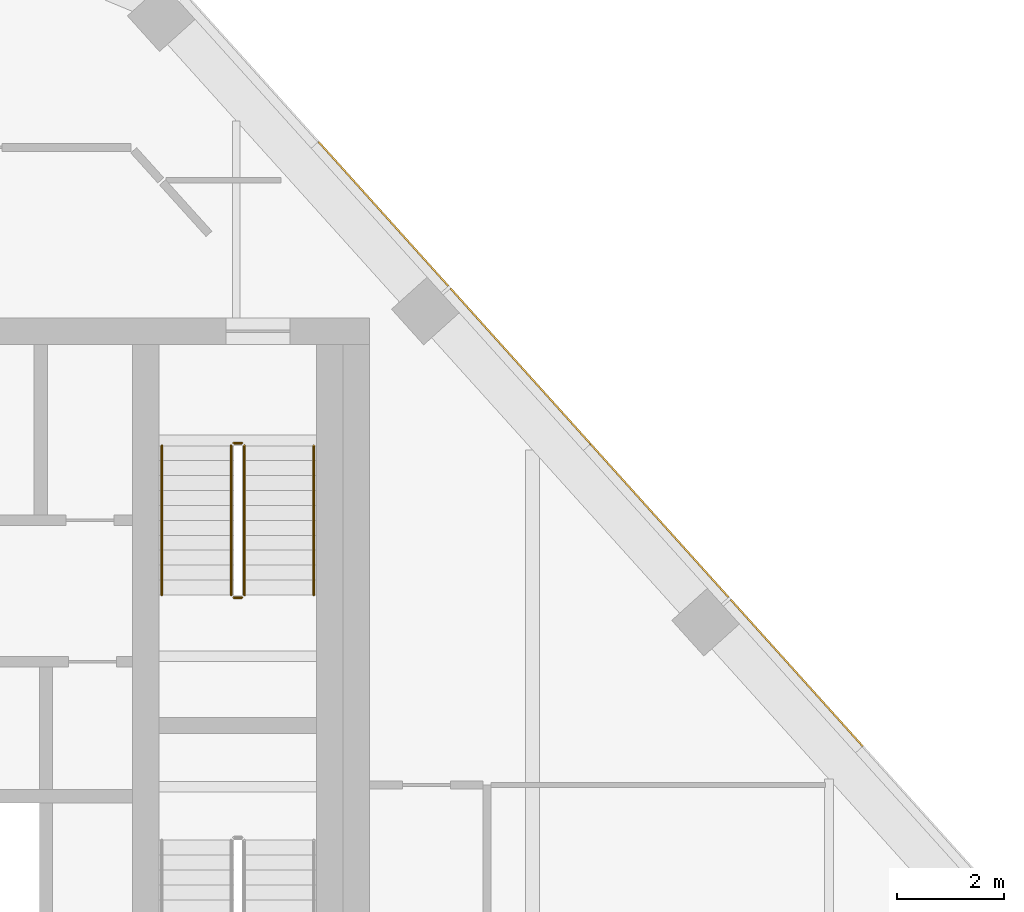
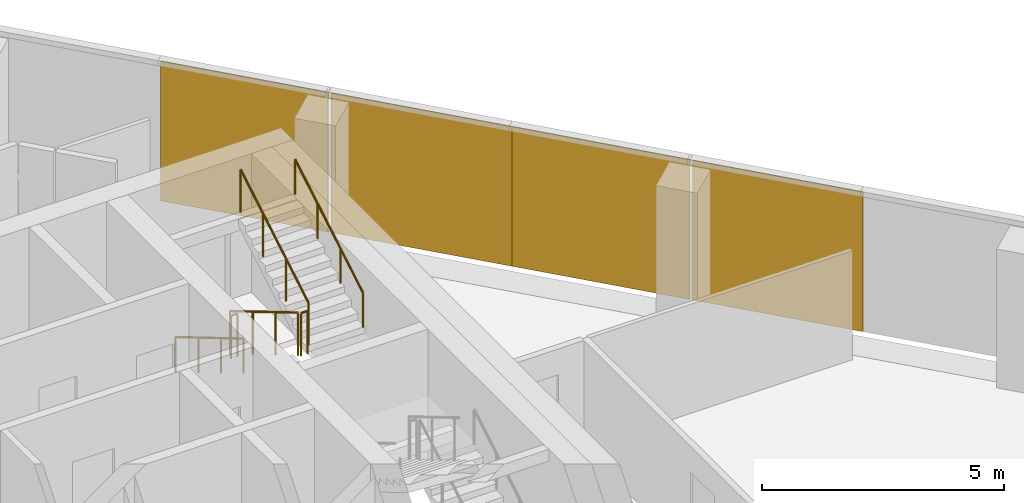
# One storey, part 15 of 15: 6 railings, 4 coverings, 1 element without a shape of its own.
"""IFC4 building model written with IfcOpenShell, lengths in metres."""

from ifc_helpers import new_model, si_unit, direction, frame, origin, origin_2d, place, context, subcontext, project, spatial, rectangle, circle, extrude, material, layer, layer_set, type_object, element, aggregate, save


model = new_model("IFC4")

# Units and contexts
model_context = context("Model", 3, precision=1e-05, world=origin(), true_north=direction((0.0, 1.0)))
body_context = subcontext(model_context, "Body", "Model", "MODEL_VIEW")
ifc_project = project(units=[si_unit("LENGTHUNIT", "METRE"), si_unit("AREAUNIT", "SQUARE_METRE"), si_unit("VOLUMEUNIT", "CUBIC_METRE"), si_unit("PLANEANGLEUNIT", "RADIAN"), si_unit("MASSUNIT", "GRAM", prefix="KILO")], contexts=[model_context])

# Site, building, storey
site_placement = place(None, origin())
site = spatial("IfcSite", under=ifc_project, at=site_placement, CompositionType="ELEMENT")
building_placement = place(site_placement, origin())
building = spatial("IfcBuilding", under=site, at=building_placement, Name="Isthmus Gate Tower", CompositionType="ELEMENT")
storey_placement = place(building_placement, frame((0.0, 0.0, 271.89990234375)))
storey = spatial("IfcBuildingStorey", under=building, at=storey_placement, Name="L69", CompositionType="ELEMENT", Elevation=271.89990234375)

# Curtain wall, coverings
ifc_material_1 = material(Name="Aluminium, pale champagne anodised", Category="aluminium")
ifc_layer_1 = layer(ifc_material_1, 0.199951171875)
ifc_layer_set_1 = layer_set([ifc_layer_1], Name="CW-1 UNITISED CURTAIN WALL 200 DEEP")
curtain_wall_type = type_object("IfcCurtainWallType", Name="CW-1 UNITISED CURTAIN WALL 200 DEEP", PredefinedType="NOTDEFINED", material=ifc_layer_set_1)
curtain_wall_placement = place(storey_placement, origin())
curtain_wall = element("IfcCurtainWall", 1, at=curtain_wall_placement, inside=storey, type_object=curtain_wall_type, Name="CW-1 NE L69", PredefinedType="NOTDEFINED")
ifc_material_2 = material(Name="Aluminium composite panel, pale champagne anodised", Category="aluminium")
ifc_layer_2 = layer(ifc_material_2, 0.031982421875)
ifc_layer_set_2 = layer_set([ifc_layer_2], Name="CW-1 PALE METAL PANEL 32")
covering_type = type_object("IfcCoveringType", Name="CW-1 PALE METAL PANEL 32", PredefinedType="CLADDING", material=ifc_layer_set_2)
covering_1_placement = place(storey_placement, frame((23.012939453125, 8.33837890625, 0.0), z_axis=(0.0, 0.0, 1.0), x_axis=(-0.669130606359, 0.743144825477, 0.0)))
covering_1 = element("IfcCovering", 2, at=covering_1_placement, type_object=covering_type, Name="CW-1 pale metal panel", PredefinedType="CLADDING", context=body_context, shape_type="SweptSolid", body=[
    extrude(rectangle(XDim=3.703369140625, YDim=0.031982421875, at=origin_2d()), origin(), (0.0, 0.0, 1.0), 3.52001953125),
])
covering_2_placement = place(storey_placement, frame((20.439453125, 11.196533203125, 0.0), z_axis=(0.0, 0.0, 1.0), x_axis=(-0.669130606359, 0.743144825477, 0.0)))
covering_2 = element("IfcCovering", 3, at=covering_2_placement, type_object=covering_type, Name="CW-1 pale metal panel", PredefinedType="CLADDING", context=body_context, shape_type="SweptSolid", body=[
    extrude(rectangle(XDim=3.868408203125, YDim=0.031982421875, at=origin_2d()), origin(), (0.0, 0.0, 1.0), 3.52001953125),
])
covering_3_placement = place(storey_placement, frame((17.8310546875, 14.093505859375, 0.0), z_axis=(0.0, 0.0, 1.0), x_axis=(-0.669130606359, 0.743144825477, 0.0)))
covering_3 = element("IfcCovering", 4, at=covering_3_placement, type_object=covering_type, Name="CW-1 pale metal panel", PredefinedType="CLADDING", context=body_context, shape_type="SweptSolid", body=[
    extrude(rectangle(XDim=3.928466796875, YDim=0.031982421875, at=origin_2d()), origin(), (0.0, 0.0, 1.0), 3.52001953125),
])
covering_4_placement = place(storey_placement, frame((15.257568359375, 16.95166015625, 0.0), z_axis=(0.0, 0.0, 1.0), x_axis=(-0.669130606359, 0.743144825477, 0.0)))
covering_4 = element("IfcCovering", 5, at=covering_4_placement, type_object=covering_type, Name="CW-1 pale metal panel", PredefinedType="CLADDING", context=body_context, shape_type="SweptSolid", body=[
    extrude(rectangle(XDim=3.643310546875, YDim=0.031982421875, at=origin_2d()), origin(), (0.0, 0.0, 1.0), 3.52001953125),
])
aggregate(curtain_wall, [covering_1, covering_2, covering_3, covering_4])

# Railings
ifc_material_3 = material(Name="Stainless steel balustrade", Category="steel")
railing_type_1 = type_object("IfcRailingType", Name="STAIR GUARD 1100", PredefinedType="GUARDRAIL", material=ifc_material_3)
railing_1_placement = place(storey_placement, frame((12.39990234375, 12.60009765625, 0.166015625)))
element("IfcRailing", 6, at=railing_1_placement, inside=storey, type_object=railing_type_1, Name="L69 ST2 stair guard 1", PredefinedType="GUARDRAIL", context=body_context, shape_type="SweptSolid", body=[
    extrude(circle(Radius=0.02392578125, at=origin_2d()), frame((0.0, 0.0, 1.076171875), z_axis=(0.0, -0.860306154799, 0.50977771628), x_axis=(1.0, 0.0, 0.0)), (0.0, 0.0, 1.0), 3.254638671875),
    extrude(circle(Radius=0.02099609375, at=origin_2d()), origin(), (0.0, 0.0, 1.0), 1.052001953125),
    extrude(circle(Radius=0.02099609375, at=origin_2d()), frame((0.0, -0.933349609375, 0.552978515625)), (0.0, 0.0, 1.0), 1.052001953125),
    extrude(circle(Radius=0.02099609375, at=origin_2d()), frame((0.0, -1.86669921875, 1.106201171875)), (0.0, 0.0, 1.0), 1.052001953125),
    extrude(circle(Radius=0.02099609375, at=origin_2d()), frame((0.0, -2.800048828125, 1.6591796875)), (0.0, 0.0, 1.0), 1.052001953125),
])
railing_2_placement = place(storey_placement, frame((12.449951171875, 9.75, 1.8251953125)))
element("IfcRailing", 7, at=railing_2_placement, inside=storey, type_object=railing_type_1, Name="L69 ST2 stair guard 2", PredefinedType="GUARDRAIL", context=body_context, shape_type="SweptSolid", body=[
    extrude(circle(Radius=0.02392578125, at=origin_2d()), frame((0.0, 0.0, 1.076171875), z_axis=(1.0, 0.0, 0.0), x_axis=(0.0, 1.0, 0.0)), (0.0, 0.0, 1.0), 0.150146484375),
    extrude(circle(Radius=0.02099609375, at=origin_2d()), origin(), (0.0, 0.0, 1.0), 1.052001953125),
    extrude(circle(Radius=0.02099609375, at=origin_2d()), frame((0.150146484375, 0.0, 0.0)), (0.0, 0.0, 1.0), 1.052001953125),
])
railing_3_placement = place(storey_placement, frame((12.64990234375, 9.800048828125, 1.990966796875)))
element("IfcRailing", 8, at=railing_3_placement, inside=storey, type_object=railing_type_1, Name="L69 ST2 stair guard 3", PredefinedType="GUARDRAIL", context=body_context, shape_type="SweptSolid", body=[
    extrude(circle(Radius=0.02392578125, at=origin_2d()), frame((0.0, 0.0, 1.076171875), z_axis=(0.0, 0.860306154799, 0.50977771628), x_axis=(-1.0, 0.0, 0.0)), (0.0, 0.0, 1.0), 3.254638671875),
    extrude(circle(Radius=0.02099609375, at=origin_2d()), origin(), (0.0, 0.0, 1.0), 1.052001953125),
    extrude(circle(Radius=0.02099609375, at=origin_2d()), frame((0.0, 0.933349609375, 0.552978515625)), (0.0, 0.0, 1.0), 1.052001953125),
    extrude(circle(Radius=0.02099609375, at=origin_2d()), frame((0.0, 1.86669921875, 1.106201171875)), (0.0, 0.0, 1.0), 1.052001953125),
    extrude(circle(Radius=0.02099609375, at=origin_2d()), frame((0.0, 2.800048828125, 1.6591796875)), (0.0, 0.0, 1.0), 1.052001953125),
])
railing_4_placement = place(storey_placement, frame((12.449951171875, 12.64990234375, 0.0)))
element("IfcRailing", 9, at=railing_4_placement, inside=storey, type_object=railing_type_1, Name="L69 ST2 stair guard 4", PredefinedType="GUARDRAIL", context=body_context, shape_type="SweptSolid", body=[
    extrude(circle(Radius=0.02392578125, at=origin_2d()), frame((0.0, 0.0, 1.076171875), z_axis=(1.0, 0.0, 0.0), x_axis=(0.0, 1.0, 0.0)), (0.0, 0.0, 1.0), 0.150146484375),
    extrude(circle(Radius=0.02099609375, at=origin_2d()), origin(), (0.0, 0.0, 1.0), 1.052001953125),
    extrude(circle(Radius=0.02099609375, at=origin_2d()), frame((0.150146484375, 0.0, 0.0)), (0.0, 0.0, 1.0), 1.052001953125),
])
ifc_material_4 = material(Name="Stainless steel handrail", Category="steel")
railing_type_2 = type_object("IfcRailingType", Name="STAIR HANDRAIL 900", PredefinedType="HANDRAIL", material=ifc_material_4)
railing_5_placement = place(storey_placement, frame((11.10009765625, 12.60009765625, 0.166015625)))
element("IfcRailing", 10, at=railing_5_placement, inside=storey, type_object=railing_type_2, Name="L69 ST2 stair handrail 1", PredefinedType="HANDRAIL", context=body_context, shape_type="SweptSolid", body=[
    extrude(circle(Radius=0.02392578125, at=origin_2d()), frame((0.0, 0.0, 0.8759765625), z_axis=(0.0, -0.860306154799, 0.50977771628), x_axis=(1.0, 0.0, 0.0)), (0.0, 0.0, 1.0), 3.254638671875),
    extrude(circle(Radius=0.02099609375, at=origin_2d()), origin(), (0.0, 0.0, 1.0), 0.851806640625),
    extrude(circle(Radius=0.02099609375, at=origin_2d()), frame((0.0, -0.933349609375, 0.552978515625)), (0.0, 0.0, 1.0), 0.851806640625),
    extrude(circle(Radius=0.02099609375, at=origin_2d()), frame((0.0, -1.86669921875, 1.106201171875)), (0.0, 0.0, 1.0), 0.851806640625),
    extrude(circle(Radius=0.02099609375, at=origin_2d()), frame((0.0, -2.800048828125, 1.6591796875)), (0.0, 0.0, 1.0), 0.851806640625),
])
railing_6_placement = place(storey_placement, frame((13.949951171875, 9.800048828125, 1.990966796875)))
element("IfcRailing", 11, at=railing_6_placement, inside=storey, type_object=railing_type_2, Name="L69 ST2 stair handrail 2", PredefinedType="HANDRAIL", context=body_context, shape_type="SweptSolid", body=[
    extrude(circle(Radius=0.02392578125, at=origin_2d()), frame((0.0, 0.0, 0.8759765625), z_axis=(0.0, 0.860306154799, 0.50977771628), x_axis=(-1.0, 0.0, 0.0)), (0.0, 0.0, 1.0), 3.254638671875),
    extrude(circle(Radius=0.02099609375, at=origin_2d()), origin(), (0.0, 0.0, 1.0), 0.851806640625),
    extrude(circle(Radius=0.02099609375, at=origin_2d()), frame((0.0, 0.933349609375, 0.552978515625)), (0.0, 0.0, 1.0), 0.851806640625),
    extrude(circle(Radius=0.02099609375, at=origin_2d()), frame((0.0, 1.86669921875, 1.106201171875)), (0.0, 0.0, 1.0), 0.851806640625),
    extrude(circle(Radius=0.02099609375, at=origin_2d()), frame((0.0, 2.800048828125, 1.6591796875)), (0.0, 0.0, 1.0), 0.851806640625),
])

save(model, "model.ifc")
